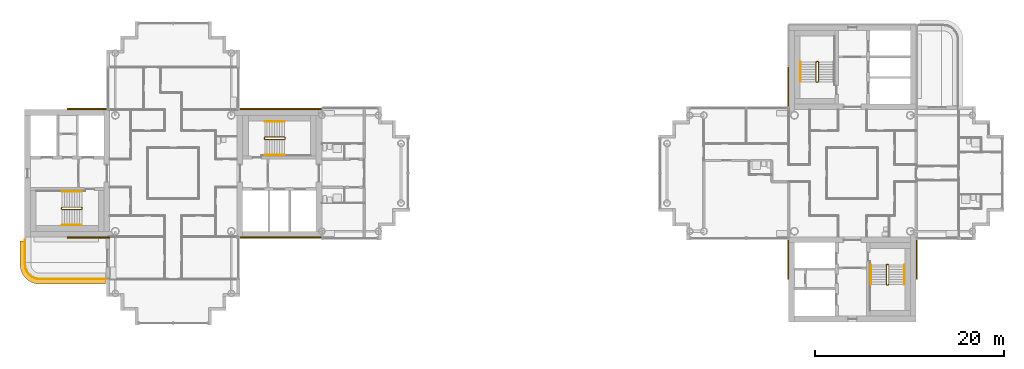
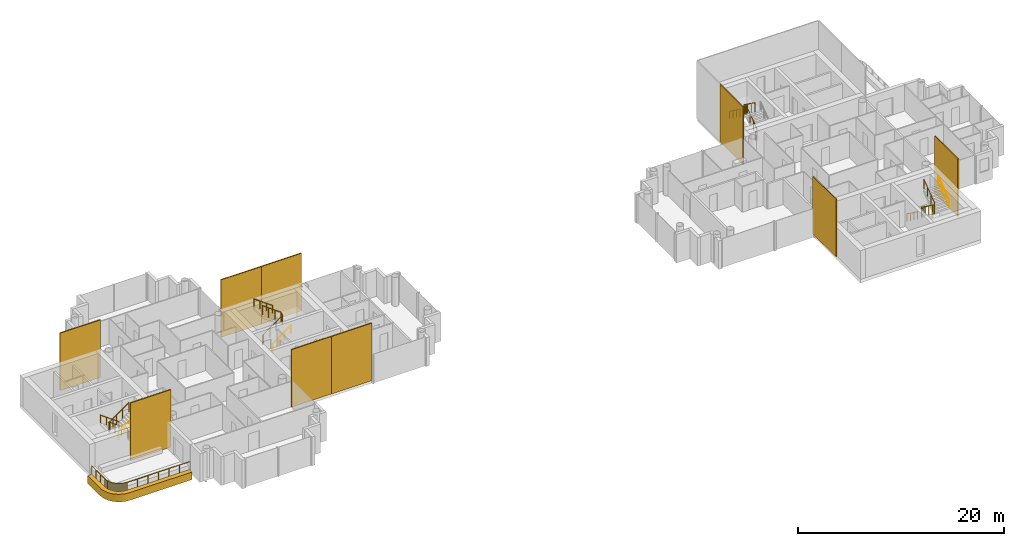
# One storey, part 16 of 18: 12 railings, 10 coverings.
"""IFC4 building model written with IfcOpenShell, lengths in metres."""

from ifc_helpers import new_model, si_unit, direction, frame, origin, origin_2d, place, context, subcontext, project, spatial, polyline, rectangle, circle, outline, extrude, material, layer, layer_set, type_object, element, save


model = new_model("IFC4")

# Units and contexts
model_context = context("Model", 3, precision=1e-05, world=origin(), true_north=direction((0.0, 1.0)))
body_context = subcontext(model_context, "Body", "Model", "MODEL_VIEW")
ifc_project = project(units=[si_unit("LENGTHUNIT", "METRE"), si_unit("AREAUNIT", "SQUARE_METRE"), si_unit("VOLUMEUNIT", "CUBIC_METRE"), si_unit("PLANEANGLEUNIT", "RADIAN"), si_unit("MASSUNIT", "GRAM", prefix="KILO")], contexts=[model_context])

# Site, building, storey
site_placement = place(None, origin())
site = spatial("IfcSite", under=ifc_project, at=site_placement, CompositionType="ELEMENT")
building_placement = place(site_placement, origin())
building = spatial("IfcBuilding", under=site, at=building_placement, Name="Ipe Terrace Towers", CompositionType="ELEMENT")
storey_placement = place(building_placement, frame((0.0, 0.0, 192.60009765625)))
storey = spatial("IfcBuildingStorey", under=building, at=storey_placement, Name="L53", CompositionType="ELEMENT", Elevation=192.60009765625)

# Railing
ifc_material_1 = material(Name="Stainless steel S316", Category="steel")
railing_type_1 = type_object("IfcRailingType", Name="GUARD 1100", PredefinedType="BALUSTRADE", material=ifc_material_1)
railing_1_placement = place(storey_placement, frame((-51.699951171875, -7.070068359375, -0.02001953125)))
element("IfcRailing", 1, at=railing_1_placement, inside=storey, type_object=railing_type_1, Name="guard", PredefinedType="BALUSTRADE", context=body_context, shape_type="SweptSolid", body=[
    extrude(circle(Radius=0.02392578125, at=origin_2d()), frame((0.0, 0.0, 1.076171875), z_axis=(0.0, -1.0, 0.0), x_axis=(1.0, 0.0, 0.0)), (0.0, 0.0, 1.0), 2.577880859375),
    extrude(circle(Radius=0.02392578125, at=origin_2d()), frame((0.0, -2.577880859375, 1.076171875), z_axis=(0.063270109204, -0.997996439513, 0.0), x_axis=(0.997996439513, 0.063270109204, 0.0)), (0.0, 0.0, 1.0), 0.20458984375),
    extrude(circle(Radius=0.02392578125, at=origin_2d()), frame((0.012939453125, -2.781982421875, 1.076171875), z_axis=(0.197272615832, -0.980348670139, 0.0), x_axis=(0.980348670139, 0.197272615832, 0.0)), (0.0, 0.0, 1.0), 0.202880859375),
    extrude(circle(Radius=0.02392578125, at=origin_2d()), frame((0.052978515625, -2.98095703125, 1.076171875), z_axis=(0.320562904618, -0.947227229435, 0.0), x_axis=(0.947227229435, 0.320562904618, 0.0)), (0.0, 0.0, 1.0), 0.20263671875),
    extrude(circle(Radius=0.02392578125, at=origin_2d()), frame((0.117919921875, -3.1728515625, 1.076171875), z_axis=(0.443364567466, -0.896341374877, 0.0), x_axis=(0.896341374877, 0.443364567466, 0.0)), (0.0, 0.0, 1.0), 0.203125),
    extrude(circle(Radius=0.02392578125, at=origin_2d()), frame((0.2080078125, -3.35498046875, 1.076171875), z_axis=(0.552753344103, -0.833344910936, 0.0), x_axis=(0.833344910936, 0.552753344103, 0.0)), (0.0, 0.0, 1.0), 0.20263671875),
    extrude(circle(Radius=0.02392578125, at=origin_2d()), frame((0.320068359375, -3.52392578125, 1.076171875), z_axis=(0.660464863827, -0.750856952854, 0.0), x_axis=(0.750856952854, 0.660464863827, 0.0)), (0.0, 0.0, 1.0), 0.20263671875),
    extrude(circle(Radius=0.02392578125, at=origin_2d()), frame((0.453857421875, -3.676025390625, 1.076171875), z_axis=(0.750856952854, -0.660464863827, 0.0), x_axis=(0.660464863827, 0.750856952854, 0.0)), (0.0, 0.0, 1.0), 0.20263671875),
    extrude(circle(Radius=0.02392578125, at=origin_2d()), frame((0.60595703125, -3.809814453125, 1.076171875), z_axis=(0.833344910936, -0.552753344103, 0.0), x_axis=(0.552753344103, 0.833344910936, 0.0)), (0.0, 0.0, 1.0), 0.20263671875),
    extrude(circle(Radius=0.02392578125, at=origin_2d()), frame((0.77490234375, -3.921875, 1.076171875), z_axis=(0.896341374877, -0.443364567466, 0.0), x_axis=(0.443364567466, 0.896341374877, 0.0)), (0.0, 0.0, 1.0), 0.203125),
    extrude(circle(Radius=0.02392578125, at=origin_2d()), frame((0.95703125, -4.011962890625, 1.076171875), z_axis=(0.947227229435, -0.320562904618, 0.0), x_axis=(0.320562904618, 0.947227229435, 0.0)), (0.0, 0.0, 1.0), 0.20263671875),
    extrude(circle(Radius=0.02392578125, at=origin_2d()), frame((1.14892578125, -4.076904296875, 1.076171875), z_axis=(0.980348670139, -0.197272615832, 0.0), x_axis=(0.197272615832, 0.980348670139, 0.0)), (0.0, 0.0, 1.0), 0.202880859375),
    extrude(circle(Radius=0.02392578125, at=origin_2d()), frame((1.347900390625, -4.116943359375, 1.076171875), z_axis=(0.997996439513, -0.063270109204, 0.0), x_axis=(0.063270109204, 0.997996439513, 0.0)), (0.0, 0.0, 1.0), 0.20458984375),
    extrude(circle(Radius=0.02392578125, at=origin_2d()), frame((1.552001953125, -4.1298828125, 1.076171875), z_axis=(1.0, 0.0, 0.0), x_axis=(0.0, 1.0, 0.0)), (0.0, 0.0, 1.0), 7.077880859375),
    extrude(circle(Radius=0.02099609375, at=origin_2d()), origin(), (0.0, 0.0, 1.0), 1.052001953125),
    extrude(circle(Radius=0.02099609375, at=origin_2d()), frame((0.0, -0.859375, 0.0)), (0.0, 0.0, 1.0), 1.052001953125),
    extrude(circle(Radius=0.02099609375, at=origin_2d()), frame((0.0, -1.718505859375, 0.0)), (0.0, 0.0, 1.0), 1.052001953125),
    extrude(circle(Radius=0.02099609375, at=origin_2d()), frame((0.0, -2.577880859375, 0.0)), (0.0, 0.0, 1.0), 1.052001953125),
    extrude(circle(Radius=0.02099609375, at=origin_2d()), frame((0.012939453125, -2.781982421875, 0.0)), (0.0, 0.0, 1.0), 1.052001953125),
    extrude(circle(Radius=0.02099609375, at=origin_2d()), frame((0.052978515625, -2.98095703125, 0.0)), (0.0, 0.0, 1.0), 1.052001953125),
    extrude(circle(Radius=0.02099609375, at=origin_2d()), frame((0.117919921875, -3.1728515625, 0.0)), (0.0, 0.0, 1.0), 1.052001953125),
    extrude(circle(Radius=0.02099609375, at=origin_2d()), frame((0.2080078125, -3.35498046875, 0.0)), (0.0, 0.0, 1.0), 1.052001953125),
    extrude(circle(Radius=0.02099609375, at=origin_2d()), frame((0.320068359375, -3.52392578125, 0.0)), (0.0, 0.0, 1.0), 1.052001953125),
    extrude(circle(Radius=0.02099609375, at=origin_2d()), frame((0.453857421875, -3.676025390625, 0.0)), (0.0, 0.0, 1.0), 1.052001953125),
    extrude(circle(Radius=0.02099609375, at=origin_2d()), frame((0.60595703125, -3.809814453125, 0.0)), (0.0, 0.0, 1.0), 1.052001953125),
    extrude(circle(Radius=0.02099609375, at=origin_2d()), frame((0.77490234375, -3.921875, 0.0)), (0.0, 0.0, 1.0), 1.052001953125),
    extrude(circle(Radius=0.02099609375, at=origin_2d()), frame((0.95703125, -4.011962890625, 0.0)), (0.0, 0.0, 1.0), 1.052001953125),
    extrude(circle(Radius=0.02099609375, at=origin_2d()), frame((1.14892578125, -4.076904296875, 0.0)), (0.0, 0.0, 1.0), 1.052001953125),
    extrude(circle(Radius=0.02099609375, at=origin_2d()), frame((1.347900390625, -4.116943359375, 0.0)), (0.0, 0.0, 1.0), 1.052001953125),
    extrude(circle(Radius=0.02099609375, at=origin_2d()), frame((1.552001953125, -4.1298828125, 0.0)), (0.0, 0.0, 1.0), 1.052001953125),
    extrude(circle(Radius=0.02099609375, at=origin_2d()), frame((2.731689453125, -4.1298828125, 0.0)), (0.0, 0.0, 1.0), 1.052001953125),
    extrude(circle(Radius=0.02099609375, at=origin_2d()), frame((3.911376953125, -4.1298828125, 0.0)), (0.0, 0.0, 1.0), 1.052001953125),
    extrude(circle(Radius=0.02099609375, at=origin_2d()), frame((5.0908203125, -4.1298828125, 0.0)), (0.0, 0.0, 1.0), 1.052001953125),
    extrude(circle(Radius=0.02099609375, at=origin_2d()), frame((6.2705078125, -4.1298828125, 0.0)), (0.0, 0.0, 1.0), 1.052001953125),
    extrude(circle(Radius=0.02099609375, at=origin_2d()), frame((7.4501953125, -4.1298828125, 0.0)), (0.0, 0.0, 1.0), 1.052001953125),
    extrude(circle(Radius=0.02099609375, at=origin_2d()), frame((8.6298828125, -4.1298828125, 0.0)), (0.0, 0.0, 1.0), 1.052001953125),
])

# Coverings
ifc_material_2 = material(Name="Concrete C50/60 precast, buff finish", Category="concrete")
ifc_layer_1 = layer(ifc_material_2, 0.1201171875)
ifc_layer_set_1 = layer_set([ifc_layer_1], Name="STONE CORE CLADDING 120")
covering_type_1 = type_object("IfcCoveringType", Name="STONE CORE CLADDING 120", PredefinedType="CLADDING", material=ifc_layer_set_1)
for number, where, z_axis, x_axis, name in (
    (2, (-45.0, -6.81005859375, 0.0), (0.0, 0.0, 1.0), (1.0, 0.0, 0.0), "stone core cladding"),
    (3, (-45.0, 6.81005859375, 0.0), (0.0, 0.0, 1.0), (-1.0, 0.0, 0.0), "stone core cladding"),
    (4, (-27.0, -6.81005859375, 0.0), (0.0, 0.0, 1.0), (1.0, 0.0, 0.0), "stone core cladding"),
):
    element("IfcCovering", number, at=place(storey_placement, frame(where, z_axis=z_axis, x_axis=x_axis)), inside=storey, type_object=covering_type_1, Name=name, PredefinedType="CLADDING", context=body_context, shape_type="SweptSolid", body=[
        extrude(rectangle(XDim=4.5, YDim=0.1201171875, at=origin_2d()), origin(), (0.0, 0.0, 1.0), 6.800048828125),
    ])
covering_1_placement = place(storey_placement, frame((-22.4990234375, -6.81005859375, 0.0), z_axis=(0.0, 0.0, 1.0), x_axis=(1.0, 0.0, 0.0)))
element("IfcCovering", 5, at=covering_1_placement, inside=storey, type_object=covering_type_1, Name="stone core cladding", PredefinedType="CLADDING", context=body_context, shape_type="SweptSolid", body=[
    extrude(rectangle(XDim=4.5009765625, YDim=0.1201171875, at=origin_2d()), origin(), (0.0, 0.0, 1.0), 6.800048828125),
])
covering_2_placement = place(storey_placement, frame((-27.0, 6.81005859375, 0.0), z_axis=(0.0, 0.0, 1.0), x_axis=(-1.0, 0.0, 0.0)))
element("IfcCovering", 6, at=covering_2_placement, inside=storey, type_object=covering_type_1, Name="stone core cladding", PredefinedType="CLADDING", context=body_context, shape_type="SweptSolid", body=[
    extrude(rectangle(XDim=4.5, YDim=0.1201171875, at=origin_2d()), origin(), (0.0, 0.0, 1.0), 6.800048828125),
])
covering_3_placement = place(storey_placement, frame((-22.4990234375, 6.81005859375, 0.0), z_axis=(0.0, 0.0, 1.0), x_axis=(-1.0, 0.0, 0.0)))
element("IfcCovering", 7, at=covering_3_placement, inside=storey, type_object=covering_type_1, Name="stone core cladding", PredefinedType="CLADDING", context=body_context, shape_type="SweptSolid", body=[
    extrude(rectangle(XDim=4.5009765625, YDim=0.1201171875, at=origin_2d()), origin(), (0.0, 0.0, 1.0), 6.800048828125),
])
for number, where, z_axis, x_axis, name in (
    (8, (29.18994140625, -9.0, 0.0), (0.0, 0.0, 1.0), (0.0, -1.0, 0.0), "stone core cladding"),
    (9, (29.18994140625, 9.0, 0.0), (0.0, 0.0, 1.0), (0.0, -1.0, 0.0), "stone core cladding"),
    (10, (42.81005859375, -9.0, 0.0), (0.0, 0.0, 1.0), (0.0, 1.0, 0.0), "stone core cladding"),
):
    element("IfcCovering", number, at=place(storey_placement, frame(where, z_axis=z_axis, x_axis=x_axis)), inside=storey, type_object=covering_type_1, Name=name, PredefinedType="CLADDING", context=body_context, shape_type="SweptSolid", body=[
        extrude(rectangle(XDim=4.5, YDim=0.1201171875, at=origin_2d()), origin(), (0.0, 0.0, 1.0), 6.800048828125),
    ])
ifc_material_3 = material(Name="Concrete C50/60 precast, buff finish", Category="concrete")
ifc_layer_2 = layer(ifc_material_3, 0.5)
ifc_layer_set_2 = layer_set([ifc_layer_2], Name="STONE EDGE BAND 500 x 900")
covering_type_2 = type_object("IfcCoveringType", Name="STONE EDGE BAND 500 x 900", PredefinedType="CLADDING", material=ifc_layer_set_2)
covering_4_placement = place(storey_placement, frame((0.0, 0.0, -0.72021484375)))
element("IfcCovering", 11, at=covering_4_placement, inside=storey, type_object=covering_type_2, Name="stone edge band", PredefinedType="CLADDING", context=body_context, shape_type="SweptSolid", body=[
    extrude(outline(polyline([(-50.14990234375, -11.75), (-43.199951171875, -11.75), (-43.199951171875, -11.25), (-50.14990234375, -11.25), (-50.35888671875, -11.236083984375), (-50.56396484375, -11.195068359375), (-50.761962890625, -11.1279296875), (-50.949951171875, -11.035888671875), (-51.1240234375, -10.9189453125), (-51.281005859375, -10.781005859375), (-51.4189453125, -10.6240234375), (-51.535888671875, -10.449951171875), (-51.6279296875, -10.261962890625), (-51.695068359375, -10.06396484375), (-51.736083984375, -9.85888671875), (-51.75, -9.64990234375), (-51.75, -7.199951171875), (-52.25, -7.199951171875), (-52.25, -9.64990234375), (-52.2490234375, -9.68310546875), (-52.235107421875, -9.89208984375), (-52.22705078125, -9.9560546875), (-52.18603515625, -10.162109375), (-52.1689453125, -10.22509765625), (-52.10205078125, -10.423095703125), (-52.076904296875, -10.48291015625), (-51.98388671875, -10.6708984375), (-51.950927734375, -10.72802734375), (-51.8349609375, -10.902099609375), (-51.794921875, -10.9541015625), (-51.656982421875, -11.111083984375), (-51.611083984375, -11.156982421875), (-51.4541015625, -11.294921875), (-51.402099609375, -11.3349609375), (-51.22802734375, -11.450927734375), (-51.1708984375, -11.48388671875), (-50.98291015625, -11.576904296875), (-50.923095703125, -11.60205078125), (-50.72509765625, -11.6689453125), (-50.662109375, -11.68603515625), (-50.4560546875, -11.72705078125), (-50.39208984375, -11.735107421875), (-50.18310546875, -11.7490234375), (-50.14990234375, -11.75)])), origin(), (0.0, 0.0, 1.0), 0.900146484375),
])

# Railings
ifc_material_4 = material(Name="Steel S355", Category="steel")
railing_type_2 = type_object("IfcRailingType", Name="Stair guard 1100", PredefinedType="GUARDRAIL", material=ifc_material_4)
railing_2_placement = place(storey_placement, frame((-26.35009765625, 3.800048828125, 0.0)))
element("IfcRailing", 12, at=railing_2_placement, inside=storey, type_object=railing_type_2, Name="L53 T1-ST1 stair guard 1", PredefinedType="GUARDRAIL", context=body_context, shape_type="SweptSolid", body=[
    extrude(circle(Radius=0.02392578125, at=origin_2d()), frame((0.0, 0.0, 1.076171875), z_axis=(0.0, -1.0, 0.0), x_axis=(1.0, 0.0, 0.0)), (0.0, 0.0, 1.0), 0.150146484375),
    extrude(circle(Radius=0.02392578125, at=origin_2d()), frame((0.0, -0.150146484375, 1.076171875), z_axis=(0.248385422981, -0.247173786771, 0.936594790069), x_axis=(0.705375805398, 0.708833529934, 0.0)), (0.0, 0.0, 1.0), 0.201416015625),
    extrude(circle(Radius=0.02392578125, at=origin_2d()), frame((0.050048828125, -0.199951171875, 1.2646484375), z_axis=(0.809023421508, 0.0, 0.587776406001), x_axis=(0.0, 1.0, 0.0)), (0.0, 0.0, 1.0), 2.571044921875),
    extrude(circle(Radius=0.02392578125, at=origin_2d()), frame((2.130126953125, -0.199951171875, 2.77587890625), z_axis=(0.708833529934, 0.705375805398, 0.0), x_axis=(-0.705375805398, 0.708833529934, 0.0)), (0.0, 0.0, 1.0), 0.070556640625),
    extrude(circle(Radius=0.02392578125, at=origin_2d()), frame((2.18017578125, -0.150146484375, 2.77587890625), z_axis=(0.0, 1.0, 0.0), x_axis=(-1.0, 0.0, 0.0)), (0.0, 0.0, 1.0), 0.150146484375),
    extrude(circle(Radius=0.02392578125, at=origin_2d()), frame((2.18017578125, 0.0, 2.77587890625), z_axis=(-0.248310886586, 0.248310886586, 0.936313733321), x_axis=(-0.707106781187, -0.707106781187, 0.0)), (0.0, 0.0, 1.0), 0.20166015625),
    extrude(circle(Radius=0.02392578125, at=origin_2d()), frame((2.130126953125, 0.050048828125, 2.96484375), z_axis=(-0.809023421508, 0.0, 0.587776406001), x_axis=(0.0, -1.0, 0.0)), (0.0, 0.0, 1.0), 2.571044921875),
    extrude(circle(Radius=0.02099609375, at=origin_2d()), origin(), (0.0, 0.0, 1.0), 1.052001953125),
    extrude(circle(Radius=0.02099609375, at=origin_2d()), frame((0.0, -0.150146484375, 0.0)), (0.0, 0.0, 1.0), 1.052001953125),
    extrude(circle(Radius=0.02099609375, at=origin_2d()), frame((0.050048828125, -0.199951171875, 0.188720703125)), (0.0, 0.0, 1.0), 1.052001953125),
    extrude(circle(Radius=0.02099609375, at=origin_2d()), frame((0.743408203125, -0.199951171875, 0.6923828125)), (0.0, 0.0, 1.0), 1.052001953125),
    extrude(circle(Radius=0.02099609375, at=origin_2d()), frame((1.436767578125, -0.199951171875, 1.1962890625)), (0.0, 0.0, 1.0), 1.052001953125),
    extrude(circle(Radius=0.02099609375, at=origin_2d()), frame((2.130126953125, -0.199951171875, 1.699951171875)), (0.0, 0.0, 1.0), 1.052001953125),
    extrude(circle(Radius=0.02099609375, at=origin_2d()), frame((2.18017578125, -0.150146484375, 1.699951171875)), (0.0, 0.0, 1.0), 1.052001953125),
    extrude(circle(Radius=0.02099609375, at=origin_2d()), frame((2.18017578125, 0.0, 1.699951171875)), (0.0, 0.0, 1.0), 1.052001953125),
    extrude(circle(Radius=0.02099609375, at=origin_2d()), frame((2.130126953125, 0.050048828125, 1.888671875)), (0.0, 0.0, 1.0), 1.052001953125),
    extrude(circle(Radius=0.02099609375, at=origin_2d()), frame((1.436767578125, 0.050048828125, 2.392333984375)), (0.0, 0.0, 1.0), 1.052001953125),
    extrude(circle(Radius=0.02099609375, at=origin_2d()), frame((0.743408203125, 0.050048828125, 2.896240234375)), (0.0, 0.0, 1.0), 1.052001953125),
    extrude(circle(Radius=0.02099609375, at=origin_2d()), frame((0.050048828125, 0.050048828125, 3.39990234375)), (0.0, 0.0, 1.0), 1.052001953125),
])
railing_3_placement = place(storey_placement, frame((-45.64990234375, -3.800048828125, 0.0)))
element("IfcRailing", 13, at=railing_3_placement, inside=storey, type_object=railing_type_2, Name="L53 T1-ST2 stair guard 1", PredefinedType="GUARDRAIL", context=body_context, shape_type="SweptSolid", body=[
    extrude(circle(Radius=0.02392578125, at=origin_2d()), frame((0.0, 0.0, 1.076171875), z_axis=(0.0, 1.0, 0.0), x_axis=(-1.0, 0.0, 0.0)), (0.0, 0.0, 1.0), 0.150146484375),
    extrude(circle(Radius=0.02392578125, at=origin_2d()), frame((0.0, 0.150146484375, 1.076171875), z_axis=(-0.248385422981, 0.247173786771, 0.936594790069), x_axis=(-0.705375805398, -0.708833529934, 0.0)), (0.0, 0.0, 1.0), 0.201416015625),
    extrude(circle(Radius=0.02392578125, at=origin_2d()), frame((-0.050048828125, 0.199951171875, 1.2646484375), z_axis=(-0.809023421508, 0.0, 0.587776406001), x_axis=(0.0, -1.0, 0.0)), (0.0, 0.0, 1.0), 2.571044921875),
    extrude(circle(Radius=0.02392578125, at=origin_2d()), frame((-2.130126953125, 0.199951171875, 2.77587890625), z_axis=(-0.708833529934, -0.705375805398, 0.0), x_axis=(0.705375805398, -0.708833529934, 0.0)), (0.0, 0.0, 1.0), 0.070556640625),
    extrude(circle(Radius=0.02392578125, at=origin_2d()), frame((-2.18017578125, 0.150146484375, 2.77587890625), z_axis=(0.0, -1.0, 0.0), x_axis=(1.0, 0.0, 0.0)), (0.0, 0.0, 1.0), 0.150146484375),
    extrude(circle(Radius=0.02392578125, at=origin_2d()), frame((-2.18017578125, 0.0, 2.77587890625), z_axis=(0.248310886586, -0.248310886586, 0.936313733321), x_axis=(0.707106781187, 0.707106781187, 0.0)), (0.0, 0.0, 1.0), 0.20166015625),
    extrude(circle(Radius=0.02392578125, at=origin_2d()), frame((-2.130126953125, -0.050048828125, 2.96484375), z_axis=(0.809023421508, 0.0, 0.587776406001), x_axis=(0.0, 1.0, 0.0)), (0.0, 0.0, 1.0), 2.571044921875),
    extrude(circle(Radius=0.02099609375, at=origin_2d()), origin(), (0.0, 0.0, 1.0), 1.052001953125),
    extrude(circle(Radius=0.02099609375, at=origin_2d()), frame((0.0, 0.150146484375, 0.0)), (0.0, 0.0, 1.0), 1.052001953125),
    extrude(circle(Radius=0.02099609375, at=origin_2d()), frame((-0.050048828125, 0.199951171875, 0.188720703125)), (0.0, 0.0, 1.0), 1.052001953125),
    extrude(circle(Radius=0.02099609375, at=origin_2d()), frame((-0.743408203125, 0.199951171875, 0.6923828125)), (0.0, 0.0, 1.0), 1.052001953125),
    extrude(circle(Radius=0.02099609375, at=origin_2d()), frame((-1.436767578125, 0.199951171875, 1.1962890625)), (0.0, 0.0, 1.0), 1.052001953125),
    extrude(circle(Radius=0.02099609375, at=origin_2d()), frame((-2.130126953125, 0.199951171875, 1.699951171875)), (0.0, 0.0, 1.0), 1.052001953125),
    extrude(circle(Radius=0.02099609375, at=origin_2d()), frame((-2.18017578125, 0.150146484375, 1.699951171875)), (0.0, 0.0, 1.0), 1.052001953125),
    extrude(circle(Radius=0.02099609375, at=origin_2d()), frame((-2.18017578125, 0.0, 1.699951171875)), (0.0, 0.0, 1.0), 1.052001953125),
    extrude(circle(Radius=0.02099609375, at=origin_2d()), frame((-2.130126953125, -0.050048828125, 1.888671875)), (0.0, 0.0, 1.0), 1.052001953125),
    extrude(circle(Radius=0.02099609375, at=origin_2d()), frame((-1.436767578125, -0.050048828125, 2.392333984375)), (0.0, 0.0, 1.0), 1.052001953125),
    extrude(circle(Radius=0.02099609375, at=origin_2d()), frame((-0.743408203125, -0.050048828125, 2.896240234375)), (0.0, 0.0, 1.0), 1.052001953125),
    extrude(circle(Radius=0.02099609375, at=origin_2d()), frame((-0.050048828125, -0.050048828125, 3.39990234375)), (0.0, 0.0, 1.0), 1.052001953125),
])
railing_4_placement = place(storey_placement, frame((32.199951171875, 9.64990234375, 0.0)))
element("IfcRailing", 14, at=railing_4_placement, inside=storey, type_object=railing_type_2, Name="L53 T2-ST1 stair guard 1", PredefinedType="GUARDRAIL", context=body_context, shape_type="SweptSolid", body=[
    extrude(circle(Radius=0.02392578125, at=origin_2d()), frame((0.0, 0.0, 1.076171875), z_axis=(1.0, 0.0, 0.0), x_axis=(0.0, 1.0, 0.0)), (0.0, 0.0, 1.0), 0.150146484375),
    extrude(circle(Radius=0.02392578125, at=origin_2d()), frame((0.150146484375, 0.0, 1.076171875), z_axis=(0.247173786771, 0.248385422981, 0.936594790069), x_axis=(-0.708833529934, 0.705375805398, 0.0)), (0.0, 0.0, 1.0), 0.201416015625),
    extrude(circle(Radius=0.02392578125, at=origin_2d()), frame((0.199951171875, 0.050048828125, 1.2646484375), z_axis=(0.0, 0.809023421508, 0.587776406001), x_axis=(-1.0, 0.0, 0.0)), (0.0, 0.0, 1.0), 2.571044921875),
    extrude(circle(Radius=0.02392578125, at=origin_2d()), frame((0.199951171875, 2.130126953125, 2.77587890625), z_axis=(-0.705375805398, 0.708833529934, 0.0), x_axis=(-0.708833529934, -0.705375805398, 0.0)), (0.0, 0.0, 1.0), 0.070556640625),
    extrude(circle(Radius=0.02392578125, at=origin_2d()), frame((0.150146484375, 2.18017578125, 2.77587890625), z_axis=(-1.0, 0.0, 0.0), x_axis=(0.0, -1.0, 0.0)), (0.0, 0.0, 1.0), 0.150146484375),
    extrude(circle(Radius=0.02392578125, at=origin_2d()), frame((0.0, 2.18017578125, 2.77587890625), z_axis=(-0.248310886586, -0.248310886586, 0.936313733321), x_axis=(0.707106781187, -0.707106781187, 0.0)), (0.0, 0.0, 1.0), 0.20166015625),
    extrude(circle(Radius=0.02392578125, at=origin_2d()), frame((-0.050048828125, 2.130126953125, 2.96484375), z_axis=(0.0, -0.809023421508, 0.587776406001), x_axis=(1.0, 0.0, 0.0)), (0.0, 0.0, 1.0), 2.571044921875),
    extrude(circle(Radius=0.02099609375, at=origin_2d()), origin(), (0.0, 0.0, 1.0), 1.052001953125),
    extrude(circle(Radius=0.02099609375, at=origin_2d()), frame((0.150146484375, 0.0, 0.0)), (0.0, 0.0, 1.0), 1.052001953125),
    extrude(circle(Radius=0.02099609375, at=origin_2d()), frame((0.199951171875, 0.050048828125, 0.188720703125)), (0.0, 0.0, 1.0), 1.052001953125),
    extrude(circle(Radius=0.02099609375, at=origin_2d()), frame((0.199951171875, 0.743408203125, 0.6923828125)), (0.0, 0.0, 1.0), 1.052001953125),
    extrude(circle(Radius=0.02099609375, at=origin_2d()), frame((0.199951171875, 1.436767578125, 1.1962890625)), (0.0, 0.0, 1.0), 1.052001953125),
    extrude(circle(Radius=0.02099609375, at=origin_2d()), frame((0.199951171875, 2.130126953125, 1.699951171875)), (0.0, 0.0, 1.0), 1.052001953125),
    extrude(circle(Radius=0.02099609375, at=origin_2d()), frame((0.150146484375, 2.18017578125, 1.699951171875)), (0.0, 0.0, 1.0), 1.052001953125),
    extrude(circle(Radius=0.02099609375, at=origin_2d()), frame((0.0, 2.18017578125, 1.699951171875)), (0.0, 0.0, 1.0), 1.052001953125),
    extrude(circle(Radius=0.02099609375, at=origin_2d()), frame((-0.050048828125, 2.130126953125, 1.888671875)), (0.0, 0.0, 1.0), 1.052001953125),
    extrude(circle(Radius=0.02099609375, at=origin_2d()), frame((-0.050048828125, 1.436767578125, 2.392333984375)), (0.0, 0.0, 1.0), 1.052001953125),
    extrude(circle(Radius=0.02099609375, at=origin_2d()), frame((-0.050048828125, 0.743408203125, 2.896240234375)), (0.0, 0.0, 1.0), 1.052001953125),
    extrude(circle(Radius=0.02099609375, at=origin_2d()), frame((-0.050048828125, 0.050048828125, 3.39990234375)), (0.0, 0.0, 1.0), 1.052001953125),
])
railing_5_placement = place(storey_placement, frame((39.800048828125, -9.64990234375, 0.0)))
element("IfcRailing", 15, at=railing_5_placement, inside=storey, type_object=railing_type_2, Name="L53 T2-ST2 stair guard 1", PredefinedType="GUARDRAIL", context=body_context, shape_type="SweptSolid", body=[
    extrude(circle(Radius=0.02392578125, at=origin_2d()), frame((0.0, 0.0, 1.076171875), z_axis=(-1.0, 0.0, 0.0), x_axis=(0.0, -1.0, 0.0)), (0.0, 0.0, 1.0), 0.150146484375),
    extrude(circle(Radius=0.02392578125, at=origin_2d()), frame((-0.150146484375, 0.0, 1.076171875), z_axis=(-0.247173786771, -0.248385422981, 0.936594790069), x_axis=(0.708833529934, -0.705375805398, 0.0)), (0.0, 0.0, 1.0), 0.201416015625),
    extrude(circle(Radius=0.02392578125, at=origin_2d()), frame((-0.199951171875, -0.050048828125, 1.2646484375), z_axis=(0.0, -0.809023421508, 0.587776406001), x_axis=(1.0, 0.0, 0.0)), (0.0, 0.0, 1.0), 2.571044921875),
    extrude(circle(Radius=0.02392578125, at=origin_2d()), frame((-0.199951171875, -2.130126953125, 2.77587890625), z_axis=(0.705375805398, -0.708833529934, 0.0), x_axis=(0.708833529934, 0.705375805398, 0.0)), (0.0, 0.0, 1.0), 0.070556640625),
    extrude(circle(Radius=0.02392578125, at=origin_2d()), frame((-0.150146484375, -2.18017578125, 2.77587890625), z_axis=(1.0, 0.0, 0.0), x_axis=(0.0, 1.0, 0.0)), (0.0, 0.0, 1.0), 0.150146484375),
    extrude(circle(Radius=0.02392578125, at=origin_2d()), frame((0.0, -2.18017578125, 2.77587890625), z_axis=(0.248310886586, 0.248310886586, 0.936313733321), x_axis=(-0.707106781187, 0.707106781187, 0.0)), (0.0, 0.0, 1.0), 0.20166015625),
    extrude(circle(Radius=0.02392578125, at=origin_2d()), frame((0.050048828125, -2.130126953125, 2.96484375), z_axis=(0.0, 0.809023421508, 0.587776406001), x_axis=(-1.0, 0.0, 0.0)), (0.0, 0.0, 1.0), 2.571044921875),
    extrude(circle(Radius=0.02099609375, at=origin_2d()), origin(), (0.0, 0.0, 1.0), 1.052001953125),
    extrude(circle(Radius=0.02099609375, at=origin_2d()), frame((-0.150146484375, 0.0, 0.0)), (0.0, 0.0, 1.0), 1.052001953125),
    extrude(circle(Radius=0.02099609375, at=origin_2d()), frame((-0.199951171875, -0.050048828125, 0.188720703125)), (0.0, 0.0, 1.0), 1.052001953125),
    extrude(circle(Radius=0.02099609375, at=origin_2d()), frame((-0.199951171875, -0.743408203125, 0.6923828125)), (0.0, 0.0, 1.0), 1.052001953125),
    extrude(circle(Radius=0.02099609375, at=origin_2d()), frame((-0.199951171875, -1.436767578125, 1.1962890625)), (0.0, 0.0, 1.0), 1.052001953125),
    extrude(circle(Radius=0.02099609375, at=origin_2d()), frame((-0.199951171875, -2.130126953125, 1.699951171875)), (0.0, 0.0, 1.0), 1.052001953125),
    extrude(circle(Radius=0.02099609375, at=origin_2d()), frame((-0.150146484375, -2.18017578125, 1.699951171875)), (0.0, 0.0, 1.0), 1.052001953125),
    extrude(circle(Radius=0.02099609375, at=origin_2d()), frame((0.0, -2.18017578125, 1.699951171875)), (0.0, 0.0, 1.0), 1.052001953125),
    extrude(circle(Radius=0.02099609375, at=origin_2d()), frame((0.050048828125, -2.130126953125, 1.888671875)), (0.0, 0.0, 1.0), 1.052001953125),
    extrude(circle(Radius=0.02099609375, at=origin_2d()), frame((0.050048828125, -1.436767578125, 2.392333984375)), (0.0, 0.0, 1.0), 1.052001953125),
    extrude(circle(Radius=0.02099609375, at=origin_2d()), frame((0.050048828125, -0.743408203125, 2.896240234375)), (0.0, 0.0, 1.0), 1.052001953125),
    extrude(circle(Radius=0.02099609375, at=origin_2d()), frame((0.050048828125, -0.050048828125, 3.39990234375)), (0.0, 0.0, 1.0), 1.052001953125),
])
ifc_material_5 = material(Name="Stainless steel grade 304", Category="steel")
railing_type_3 = type_object("IfcRailingType", Name="Stair handrail 900", PredefinedType="HANDRAIL", material=ifc_material_5)
railing_6_placement = place(storey_placement, frame((-26.300048828125, 1.949951171875, 0.188720703125)))
element("IfcRailing", 16, at=railing_6_placement, inside=storey, type_object=railing_type_3, Name="L53 T1-ST1 stair handrail 1", PredefinedType="HANDRAIL", context=body_context, shape_type="SweptSolid", body=[
    extrude(circle(Radius=0.02392578125, at=origin_2d()), frame((0.0, 0.0, 0.8759765625), z_axis=(0.809023421508, 0.0, 0.587776406001), x_axis=(0.0, 1.0, 0.0)), (0.0, 0.0, 1.0), 2.571044921875),
    extrude(circle(Radius=0.02099609375, at=origin_2d()), origin(), (0.0, 0.0, 1.0), 0.851806640625),
    extrude(circle(Radius=0.02099609375, at=origin_2d()), frame((0.693359375, 0.0, 0.503662109375)), (0.0, 0.0, 1.0), 0.851806640625),
    extrude(circle(Radius=0.02099609375, at=origin_2d()), frame((1.38671875, 0.0, 1.007568359375)), (0.0, 0.0, 1.0), 0.851806640625),
    extrude(circle(Radius=0.02099609375, at=origin_2d()), frame((2.080078125, 0.0, 1.51123046875)), (0.0, 0.0, 1.0), 0.851806640625),
])
for number, where, name in (
    (17, (-24.219970703125, 5.5, 1.888671875), "L53 T1-ST1 stair handrail 2"),
    (18, (-45.699951171875, -1.949951171875, 0.188720703125), "L53 T1-ST2 stair handrail 1"),
):
    element("IfcRailing", number, at=place(storey_placement, frame(where)), inside=storey, type_object=railing_type_3, Name=name, PredefinedType="HANDRAIL", context=body_context, shape_type="SweptSolid", body=[
        extrude(circle(Radius=0.02392578125, at=origin_2d()), frame((0.0, 0.0, 0.8759765625), z_axis=(-0.809023421508, 0.0, 0.587776406001), x_axis=(0.0, -1.0, 0.0)), (0.0, 0.0, 1.0), 2.571044921875),
        extrude(circle(Radius=0.02099609375, at=origin_2d()), origin(), (0.0, 0.0, 1.0), 0.851806640625),
        extrude(circle(Radius=0.02099609375, at=origin_2d()), frame((-0.693359375, 0.0, 0.503662109375)), (0.0, 0.0, 1.0), 0.851806640625),
        extrude(circle(Radius=0.02099609375, at=origin_2d()), frame((-1.38671875, 0.0, 1.007568359375)), (0.0, 0.0, 1.0), 0.851806640625),
        extrude(circle(Radius=0.02099609375, at=origin_2d()), frame((-2.080078125, 0.0, 1.51123046875)), (0.0, 0.0, 1.0), 0.851806640625),
    ])
railing_7_placement = place(storey_placement, frame((-47.780029296875, -5.5, 1.888671875)))
element("IfcRailing", 19, at=railing_7_placement, inside=storey, type_object=railing_type_3, Name="L53 T1-ST2 stair handrail 2", PredefinedType="HANDRAIL", context=body_context, shape_type="SweptSolid", body=[
    extrude(circle(Radius=0.02392578125, at=origin_2d()), frame((0.0, 0.0, 0.8759765625), z_axis=(0.809023421508, 0.0, 0.587776406001), x_axis=(0.0, 1.0, 0.0)), (0.0, 0.0, 1.0), 2.571044921875),
    extrude(circle(Radius=0.02099609375, at=origin_2d()), origin(), (0.0, 0.0, 1.0), 0.851806640625),
    extrude(circle(Radius=0.02099609375, at=origin_2d()), frame((0.693359375, 0.0, 0.503662109375)), (0.0, 0.0, 1.0), 0.851806640625),
    extrude(circle(Radius=0.02099609375, at=origin_2d()), frame((1.38671875, 0.0, 1.007568359375)), (0.0, 0.0, 1.0), 0.851806640625),
    extrude(circle(Radius=0.02099609375, at=origin_2d()), frame((2.080078125, 0.0, 1.51123046875)), (0.0, 0.0, 1.0), 0.851806640625),
])
for number, where, name in (
    (20, (30.5, 11.780029296875, 1.888671875), "L53 T2-ST1 stair handrail 2"),
    (21, (37.949951171875, -9.699951171875, 0.188720703125), "L53 T2-ST2 stair handrail 1"),
):
    element("IfcRailing", number, at=place(storey_placement, frame(where)), inside=storey, type_object=railing_type_3, Name=name, PredefinedType="HANDRAIL", context=body_context, shape_type="SweptSolid", body=[
        extrude(circle(Radius=0.02392578125, at=origin_2d()), frame((0.0, 0.0, 0.8759765625), z_axis=(0.0, -0.809023421508, 0.587776406001), x_axis=(1.0, 0.0, 0.0)), (0.0, 0.0, 1.0), 2.571044921875),
        extrude(circle(Radius=0.02099609375, at=origin_2d()), origin(), (0.0, 0.0, 1.0), 0.851806640625),
        extrude(circle(Radius=0.02099609375, at=origin_2d()), frame((0.0, -0.693359375, 0.503662109375)), (0.0, 0.0, 1.0), 0.851806640625),
        extrude(circle(Radius=0.02099609375, at=origin_2d()), frame((0.0, -1.38671875, 1.007568359375)), (0.0, 0.0, 1.0), 0.851806640625),
        extrude(circle(Radius=0.02099609375, at=origin_2d()), frame((0.0, -2.080078125, 1.51123046875)), (0.0, 0.0, 1.0), 0.851806640625),
    ])
railing_8_placement = place(storey_placement, frame((41.5, -11.780029296875, 1.888671875)))
element("IfcRailing", 22, at=railing_8_placement, inside=storey, type_object=railing_type_3, Name="L53 T2-ST2 stair handrail 2", PredefinedType="HANDRAIL", context=body_context, shape_type="SweptSolid", body=[
    extrude(circle(Radius=0.02392578125, at=origin_2d()), frame((0.0, 0.0, 0.8759765625), z_axis=(0.0, 0.809023421508, 0.587776406001), x_axis=(-1.0, 0.0, 0.0)), (0.0, 0.0, 1.0), 2.571044921875),
    extrude(circle(Radius=0.02099609375, at=origin_2d()), origin(), (0.0, 0.0, 1.0), 0.851806640625),
    extrude(circle(Radius=0.02099609375, at=origin_2d()), frame((0.0, 0.693359375, 0.503662109375)), (0.0, 0.0, 1.0), 0.851806640625),
    extrude(circle(Radius=0.02099609375, at=origin_2d()), frame((0.0, 1.38671875, 1.007568359375)), (0.0, 0.0, 1.0), 0.851806640625),
    extrude(circle(Radius=0.02099609375, at=origin_2d()), frame((0.0, 2.080078125, 1.51123046875)), (0.0, 0.0, 1.0), 0.851806640625),
])

save(model, "model.ifc")
